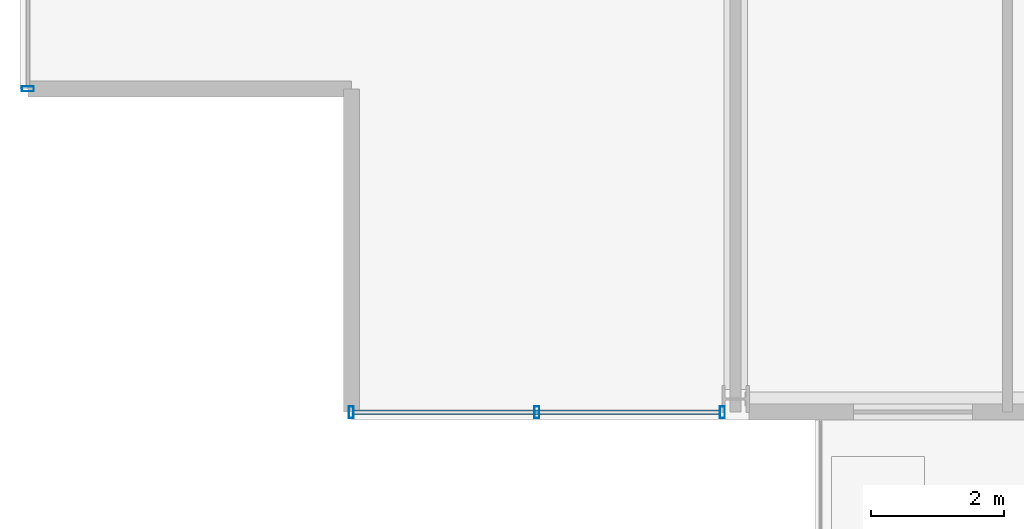
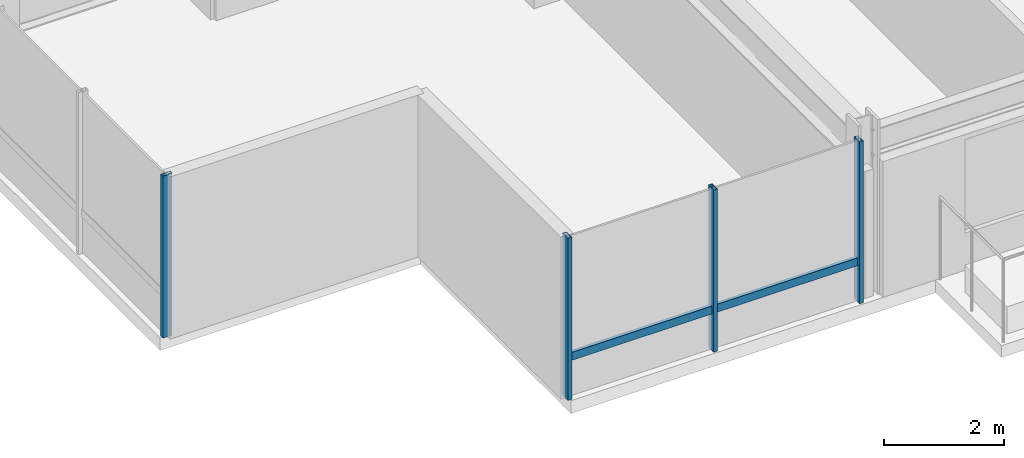
# One storey, part 2 of 32: 5 members, 2 elements without a shape of their own.
"""IFC4 building model written with IfcOpenShell, lengths in metres."""

from ifc_helpers import new_model, si_unit, direction, frame, origin, origin_2d, place, context, subcontext, project, spatial, hollow_rectangle, extrude, material, layer, layer_set, material_profile, profile_set, type_object, element, aggregate, save


model = new_model("IFC4")

# Units and contexts
model_context = context("Model", 3, precision=1e-05, world=origin(), true_north=direction((0.0, 1.0)))
body_context = subcontext(model_context, "Body", "Model", "MODEL_VIEW")
ifc_project = project(units=[si_unit("LENGTHUNIT", "METRE"), si_unit("AREAUNIT", "SQUARE_METRE"), si_unit("VOLUMEUNIT", "CUBIC_METRE"), si_unit("PLANEANGLEUNIT", "RADIAN"), si_unit("MASSUNIT", "GRAM", prefix="KILO")], contexts=[model_context])

# Site, building, storey
site_placement = place(None, origin())
site = spatial("IfcSite", under=ifc_project, at=site_placement, CompositionType="ELEMENT")
building_placement = place(site_placement, origin())
building = spatial("IfcBuilding", under=site, at=building_placement, Name="Drelvath Grand Hotel", CompositionType="ELEMENT")
storey_placement = place(building_placement, frame((0.0, 0.0, 157.5)))
storey = spatial("IfcBuildingStorey", under=building, at=storey_placement, Name="L40", CompositionType="ELEMENT", Elevation=157.5)

# Curtain wall, member
ifc_material = material(Name="Brushed Pale-Silver Anodised Aluminium Frame", Category="aluminium")
ifc_layer = layer(ifc_material, 0.199951171875)
ifc_layer_set = layer_set([ifc_layer], Name="Brushed Pale-Silver Anodised Aluminium Frame")
curtain_wall_type = type_object("IfcCurtainWallType", Name="Stick Curtain Wall CW-04 Brushed Silver Upper-Mid", PredefinedType="NOTDEFINED", material=ifc_layer_set)
curtain_wall_1_placement = place(storey_placement, origin())
curtain_wall_1 = element("IfcCurtainWall", 1, at=curtain_wall_1_placement, inside=storey, type_object=curtain_wall_type, Name="L40 CW-04 Curtain Wall CW04-L40-SW1", PredefinedType="NOTDEFINED")
ifc_material_profile_1 = material_profile(ifc_material, hollow_rectangle(XDim=0.06494140625, YDim=0.159912109375, WallThickness=0.00390625, at=origin_2d()), Name="HSS160X65X4")
ifc_profile_set_1 = profile_set([ifc_material_profile_1], Name="Brushed Pale-Silver Anodised Aluminium Frame")
member_type_1 = type_object("IfcMemberType", Name="Curtain Wall Horizontal Transom CW-04 HSS160X65X4", PredefinedType="USERDEFINED", material=ifc_profile_set_1)
member_1_placement = place(storey_placement, frame((-16.440185546875, 0.1201171875, 0.822509765625), z_axis=(-1.0, 0.0, 0.0), x_axis=(0.0, -1.0, 0.0)))
member_1 = element("IfcMember", 2, at=member_1_placement, type_object=member_type_1, Name="CW04-L40-SW1 Sill Transom", ObjectType="TRANSOM", PredefinedType="USERDEFINED", context=body_context, shape_type="SweptSolid", body=[
    extrude(hollow_rectangle(XDim=0.06494140625, YDim=0.159912109375, WallThickness=0.00390625, at=origin_2d()), origin(), (0.0, 0.0, 1.0), 5.519775390625),
])

curtain_wall_2_placement = place(storey_placement, origin())
curtain_wall_2 = element("IfcCurtainWall", 3, at=curtain_wall_2_placement, inside=storey, type_object=curtain_wall_type, Name="L40 CW-04 Curtain Wall CW04-L40-WS1", PredefinedType="NOTDEFINED")
ifc_material_profile_2 = material_profile(ifc_material, hollow_rectangle(XDim=0.074951171875, YDim=0.179931640625, WallThickness=0.0048828125, at=origin_2d()), Name="HSS180X75X5")
ifc_profile_set_2 = profile_set([ifc_material_profile_2], Name="Brushed Pale-Silver Anodised Aluminium Frame")
member_type_2 = type_object("IfcMemberType", Name="Curtain Wall Vertical Mullion CW-04 HSS180X75X5", PredefinedType="MULLION", material=ifc_profile_set_2)
member_2_placement = place(storey_placement, frame((-26.8798828125, 5.0, 0.0), z_axis=(0.0, 0.0, 1.0), x_axis=(0.0, 1.0, 0.0)))
member_2 = element("IfcMember", 4, at=member_2_placement, type_object=member_type_2, Name="CW04-L40-WS1 Mullion 1", PredefinedType="MULLION", context=body_context, shape_type="SweptSolid", body=[
    extrude(hollow_rectangle(XDim=0.074951171875, YDim=0.179931640625, WallThickness=0.0048828125, at=origin_2d()), origin(), (0.0, 0.0, 1.0), 3.2900390625),
])
aggregate(curtain_wall_2, [member_2])

# Member
member_3_placement = place(storey_placement, frame((-16.400146484375, 0.1201171875, 0.0), z_axis=(0.0, 0.0, 1.0), x_axis=(1.0, 0.0, 0.0)))
member_3 = element("IfcMember", 5, at=member_3_placement, type_object=member_type_2, Name="CW04-L40-SW1 Mullion 1", PredefinedType="MULLION", context=body_context, shape_type="SweptSolid", body=[
    extrude(hollow_rectangle(XDim=0.074951171875, YDim=0.179931640625, WallThickness=0.0048828125, at=origin_2d()), origin(), (0.0, 0.0, 1.0), 3.2900390625),
])

member_4_placement = place(storey_placement, frame((-19.199951171875, 0.1201171875, 0.0), z_axis=(0.0, 0.0, 1.0), x_axis=(1.0, 0.0, 0.0)))
member_4 = element("IfcMember", 6, at=member_4_placement, type_object=member_type_2, Name="CW04-L40-SW1 Mullion 2", PredefinedType="MULLION", context=body_context, shape_type="SweptSolid", body=[
    extrude(hollow_rectangle(XDim=0.074951171875, YDim=0.179931640625, WallThickness=0.0048828125, at=origin_2d()), origin(), (0.0, 0.0, 1.0), 3.2900390625),
])

member_5_placement = place(storey_placement, frame((-22.0, 0.1201171875, 0.0), z_axis=(0.0, 0.0, 1.0), x_axis=(1.0, 0.0, 0.0)))
member_5 = element("IfcMember", 7, at=member_5_placement, type_object=member_type_2, Name="CW04-L40-SW1 Mullion 3", PredefinedType="MULLION", context=body_context, shape_type="SweptSolid", body=[
    extrude(hollow_rectangle(XDim=0.074951171875, YDim=0.179931640625, WallThickness=0.0048828125, at=origin_2d()), origin(), (0.0, 0.0, 1.0), 3.2900390625),
])

aggregate(curtain_wall_1, [member_3, member_4, member_5, member_1])

save(model, "model.ifc")
